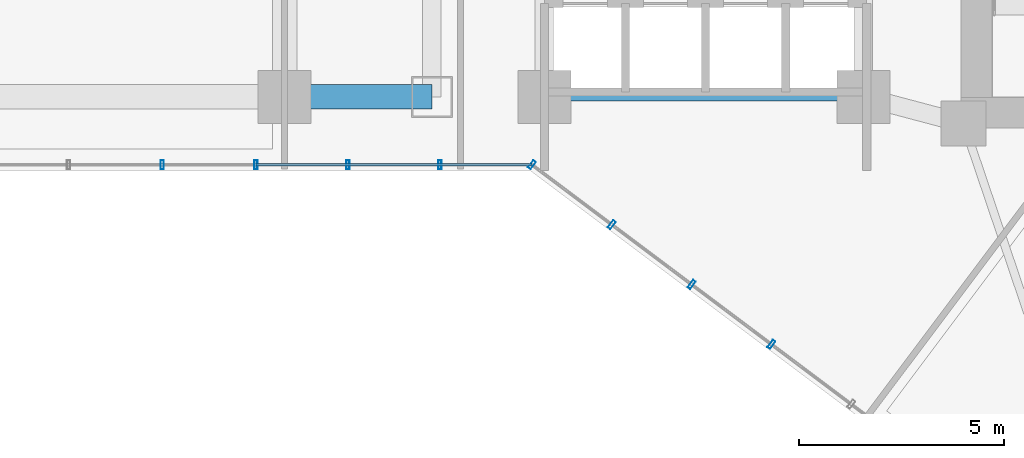
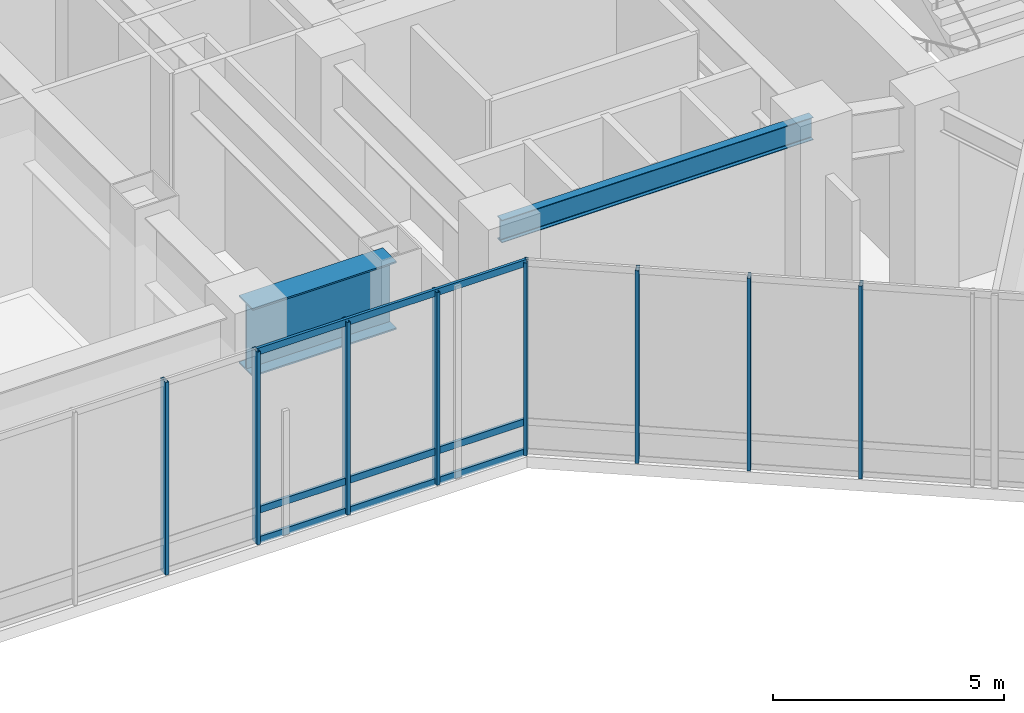
# One storey, part 4 of 38: 11 members, 2 beams, 3 elements without a shape of their own.
"""IFC4 building model written with IfcOpenShell, lengths in metres."""

from ifc_helpers import new_model, si_unit, direction, frame, origin, origin_2d, place, context, subcontext, project, spatial, hollow_rectangle, i_section, extrude, material, layer, layer_set, material_profile, profile_set, type_object, element, aggregate, save


model = new_model("IFC4")

# Units and contexts
model_context = context("Model", 3, precision=1e-05, world=origin(), true_north=direction((0.0, 1.0)))
body_context = subcontext(model_context, "Body", "Model", "MODEL_VIEW")
ifc_project = project(units=[si_unit("LENGTHUNIT", "METRE"), si_unit("AREAUNIT", "SQUARE_METRE"), si_unit("VOLUMEUNIT", "CUBIC_METRE"), si_unit("PLANEANGLEUNIT", "RADIAN"), si_unit("MASSUNIT", "GRAM", prefix="KILO")], contexts=[model_context])

# Site, building, storey
site_placement = place(None, origin())
site = spatial("IfcSite", under=ifc_project, at=site_placement, CompositionType="ELEMENT")
building_placement = place(site_placement, origin())
building = spatial("IfcBuilding", under=site, at=building_placement, Name="Hatsunagi Terrace Concourse", CompositionType="ELEMENT")
storey_placement = place(building_placement, frame((0.0, 0.0, 21.60009765625)))
storey = spatial("IfcBuildingStorey", under=building, at=storey_placement, Name="L05", CompositionType="ELEMENT", Elevation=21.60009765625)

# Curtain wall, members
ifc_material_1 = material(Name="Anodised Aluminium Alloy 6063-T5", Category="aluminium")
ifc_layer = layer(ifc_material_1, 0.199951171875)
ifc_layer_set = layer_set([ifc_layer], Name="PodiumStorefront_CW01")
curtain_wall_type = type_object("IfcCurtainWallType", Name="PodiumStorefront_CW01", PredefinedType="NOTDEFINED", material=ifc_layer_set)
curtain_wall_1_placement = place(storey_placement, origin())
curtain_wall_1 = element("IfcCurtainWall", 1, at=curtain_wall_1_placement, inside=storey, type_object=curtain_wall_type, Name="Unitised Curtain Wall CW-01 CW-L05-05", PredefinedType="NOTDEFINED")
ifc_material_2 = material(Name="Anodised Aluminium Alloy 6063-T5", Category="aluminium")
ifc_material_profile_1 = material_profile(ifc_material_2, hollow_rectangle(XDim=0.080078125, YDim=0.219970703125, WallThickness=0.0048828125, at=origin_2d()), Name="ALU-MUL-220x80x5")
ifc_profile_set_1 = profile_set([ifc_material_profile_1], Name="Anodised Aluminium Alloy 6063-T5")
member_type_1 = type_object("IfcMemberType", Name="CurtainWallMullion_Heavy_220x80", PredefinedType="MULLION", material=ifc_profile_set_1)
member_1_placement = place(storey_placement, frame((31.10107421875, 19.14892578125, 0.0), z_axis=(0.0, 0.0, 1.0), x_axis=(-0.800003116929, 0.599995844072, 0.0)))
member_1 = element("IfcMember", 2, at=member_1_placement, type_object=member_type_1, Name="Curtain Wall Mullion MUL-01", PredefinedType="MULLION", context=body_context, shape_type="SweptSolid", body=[
    extrude(hollow_rectangle(XDim=0.080078125, YDim=0.219970703125, WallThickness=0.0048828125, at=origin_2d()), origin(), (0.0, 0.0, 1.0), 5.099853515625),
])
member_2_placement = place(storey_placement, frame((29.14990234375, 20.613037109375, 0.0), z_axis=(0.0, 0.0, 1.0), x_axis=(-0.800003116929, 0.599995844072, 0.0)))
member_2 = element("IfcMember", 3, at=member_2_placement, type_object=member_type_1, Name="Curtain Wall Mullion MUL-01", PredefinedType="MULLION", context=body_context, shape_type="SweptSolid", body=[
    extrude(hollow_rectangle(XDim=0.080078125, YDim=0.219970703125, WallThickness=0.0048828125, at=origin_2d()), origin(), (0.0, 0.0, 1.0), 5.099853515625),
])
member_3_placement = place(storey_placement, frame((27.197998046875, 22.075927734375, 0.0), z_axis=(0.0, 0.0, 1.0), x_axis=(-0.800003116929, 0.599995844072, 0.0)))
member_3 = element("IfcMember", 4, at=member_3_placement, type_object=member_type_1, Name="Curtain Wall Mullion MUL-01", PredefinedType="MULLION", context=body_context, shape_type="SweptSolid", body=[
    extrude(hollow_rectangle(XDim=0.080078125, YDim=0.219970703125, WallThickness=0.0048828125, at=origin_2d()), origin(), (0.0, 0.0, 1.0), 5.099853515625),
])
member_4_placement = place(storey_placement, frame((25.2470703125, 23.5400390625, 0.0), z_axis=(0.0, 0.0, 1.0), x_axis=(-0.800003116929, 0.599995844072, 0.0)))
member_4 = element("IfcMember", 5, at=member_4_placement, type_object=member_type_1, Name="Curtain Wall Mullion MUL-01", PredefinedType="MULLION", context=body_context, shape_type="SweptSolid", body=[
    extrude(hollow_rectangle(XDim=0.080078125, YDim=0.219970703125, WallThickness=0.0048828125, at=origin_2d()), origin(), (0.0, 0.0, 1.0), 5.099853515625),
])
aggregate(curtain_wall_1, [member_1, member_2, member_3, member_4])

curtain_wall_2_placement = place(storey_placement, origin())
curtain_wall_2 = element("IfcCurtainWall", 6, at=curtain_wall_2_placement, inside=storey, type_object=curtain_wall_type, Name="Unitised Curtain Wall CW-01 CW-L05-06", PredefinedType="NOTDEFINED")
member_5_placement = place(storey_placement, frame((22.998046875, 23.5400390625, 0.0), z_axis=(0.0, 0.0, 1.0), x_axis=(-1.0, 0.0, 0.0)))
member_5 = element("IfcMember", 7, at=member_5_placement, type_object=member_type_1, Name="Curtain Wall Mullion MUL-01", PredefinedType="MULLION", context=body_context, shape_type="SweptSolid", body=[
    extrude(hollow_rectangle(XDim=0.080078125, YDim=0.219970703125, WallThickness=0.0048828125, at=origin_2d()), origin(), (0.0, 0.0, 1.0), 5.099853515625),
])
member_6_placement = place(storey_placement, frame((20.7490234375, 23.5400390625, 0.0), z_axis=(0.0, 0.0, 1.0), x_axis=(-1.0, 0.0, 0.0)))
member_6 = element("IfcMember", 8, at=member_6_placement, type_object=member_type_1, Name="Curtain Wall Mullion MUL-01", PredefinedType="MULLION", context=body_context, shape_type="SweptSolid", body=[
    extrude(hollow_rectangle(XDim=0.080078125, YDim=0.219970703125, WallThickness=0.0048828125, at=origin_2d()), origin(), (0.0, 0.0, 1.0), 5.099853515625),
])
member_7_placement = place(storey_placement, frame((18.5, 23.5400390625, 0.0), z_axis=(0.0, 0.0, 1.0), x_axis=(-1.0, 0.0, 0.0)))
member_7 = element("IfcMember", 9, at=member_7_placement, type_object=member_type_1, Name="Curtain Wall Mullion MUL-01", PredefinedType="MULLION", context=body_context, shape_type="SweptSolid", body=[
    extrude(hollow_rectangle(XDim=0.080078125, YDim=0.219970703125, WallThickness=0.0048828125, at=origin_2d()), origin(), (0.0, 0.0, 1.0), 5.099853515625),
])

# Curtain wall, member
curtain_wall_3_placement = place(storey_placement, origin())
curtain_wall_3 = element("IfcCurtainWall", 10, at=curtain_wall_3_placement, inside=storey, type_object=curtain_wall_type, Name="Unitised Curtain Wall CW-01 CW-L05-07", PredefinedType="NOTDEFINED")
member_8_placement = place(storey_placement, frame((16.2080078125, 23.5400390625, 0.0), z_axis=(0.0, 0.0, 1.0), x_axis=(-1.0, 0.0, 0.0)))
member_8 = element("IfcMember", 11, at=member_8_placement, type_object=member_type_1, Name="Curtain Wall Mullion MUL-01", PredefinedType="MULLION", context=body_context, shape_type="SweptSolid", body=[
    extrude(hollow_rectangle(XDim=0.080078125, YDim=0.219970703125, WallThickness=0.0048828125, at=origin_2d()), origin(), (0.0, 0.0, 1.0), 5.099853515625),
])
aggregate(curtain_wall_3, [member_8])

# Member
ifc_material_3 = material(Name="Anodised Aluminium Alloy 6063-T5", Category="aluminium")
ifc_material_profile_2 = material_profile(ifc_material_3, hollow_rectangle(XDim=0.070068359375, YDim=0.179931640625, WallThickness=0.00390625, at=origin_2d()), Name="ALU-TRN-180x70x4")
ifc_profile_set_2 = profile_set([ifc_material_profile_2], Name="Anodised Aluminium Alloy 6063-T5")
member_type_2 = type_object("IfcMemberType", Name="CurtainWallTransom_Heavy_180x70", PredefinedType="USERDEFINED", material=ifc_profile_set_2)
member_9_placement = place(storey_placement, frame((25.2470703125, 23.5400390625, 0.0498046875), z_axis=(-1.0, 0.0, 0.0), x_axis=(0.0, -1.0, 0.0)))
member_9 = element("IfcMember", 12, at=member_9_placement, type_object=member_type_2, Name="Curtain Wall Transom TRN-01", ObjectType="TRANSOM", PredefinedType="USERDEFINED", context=body_context, shape_type="SweptSolid", body=[
    extrude(hollow_rectangle(XDim=0.070068359375, YDim=0.179931640625, WallThickness=0.00390625, at=origin_2d()), origin(), (0.0, 0.0, 1.0), 6.7470703125),
])

member_10_placement = place(storey_placement, frame((25.2470703125, 23.5400390625, 0.849853515625), z_axis=(-1.0, 0.0, 0.0), x_axis=(0.0, -1.0, 0.0)))
member_10 = element("IfcMember", 13, at=member_10_placement, type_object=member_type_2, Name="Curtain Wall Transom TRN-01", ObjectType="TRANSOM", PredefinedType="USERDEFINED", context=body_context, shape_type="SweptSolid", body=[
    extrude(hollow_rectangle(XDim=0.070068359375, YDim=0.179931640625, WallThickness=0.00390625, at=origin_2d()), origin(), (0.0, 0.0, 1.0), 6.7470703125),
])

member_11_placement = place(storey_placement, frame((25.2470703125, 23.5400390625, 5.0498046875), z_axis=(-1.0, 0.0, 0.0), x_axis=(0.0, -1.0, 0.0)))
member_11 = element("IfcMember", 14, at=member_11_placement, type_object=member_type_2, Name="Curtain Wall Transom TRN-01", ObjectType="TRANSOM", PredefinedType="USERDEFINED", context=body_context, shape_type="SweptSolid", body=[
    extrude(hollow_rectangle(XDim=0.070068359375, YDim=0.179931640625, WallThickness=0.00390625, at=origin_2d()), origin(), (0.0, 0.0, 1.0), 6.7470703125),
])

aggregate(curtain_wall_2, [member_5, member_6, member_7, member_9, member_10, member_11])

# Beams
ifc_material_4 = material(Name="Steel SN490B", Category="steel")
ifc_material_profile_3 = material_profile(ifc_material_4, i_section(OverallWidth=0.199951171875, OverallDepth=0.60009765625, WebThickness=0.010986328125, FlangeThickness=0.01708984375, FilletRadius=0.01806640625, at=origin_2d()), Name="H-600x200x11x17")
ifc_profile_set_3 = profile_set([ifc_material_profile_3], Name="Steel SN490B")
beam_type_1 = type_object("IfcBeamType", Name="PerimeterSpandrel_H_600x200", PredefinedType="SPANDREL", material=ifc_profile_set_3)
beam_1_placement = place(storey_placement, frame((25.550048828125, 25.199951171875, 4.7998046875), z_axis=(1.0, 0.0, 0.0), x_axis=(0.0, 1.0, 0.0)))
element("IfcBeam", 15, at=beam_1_placement, inside=storey, type_object=beam_type_1, Name="Beam SP-01 BM-L05-WS-25", PredefinedType="SPANDREL", context=body_context, shape_type="SweptSolid", body=[
    extrude(i_section(OverallWidth=0.199951171875, OverallDepth=0.60009765625, WebThickness=0.010986328125, FlangeThickness=0.01708984375, FilletRadius=0.01806640625, at=origin_2d()), origin(), (0.0, 0.0, 1.0), 7.800048828125),
])
ifc_material_5 = material(Name="Steel SN490C", Category="steel")
ifc_material_profile_4 = material_profile(ifc_material_5, i_section(OverallWidth=0.60009765625, OverallDepth=1.800048828125, WebThickness=0.031982421875, FlangeThickness=0.0400390625, at=origin_2d()), Name="BH-1800x600x32x40")
ifc_profile_set_4 = profile_set([ifc_material_profile_4], Name="Steel SN490C")
beam_type_2 = type_object("IfcBeamType", Name="TransferGirder_BH_1800x600x32x40", PredefinedType="USERDEFINED", material=ifc_profile_set_4)
beam_2_placement = place(storey_placement, frame((19.199951171875, 25.199951171875, 4.199951171875), z_axis=(1.0, 0.0, 0.0), x_axis=(0.0, 1.0, 0.0)))
element("IfcBeam", 16, at=beam_2_placement, inside=storey, type_object=beam_type_2, Name="Transfer girder TG-01 BM-L05-WS-19", ObjectType="TRANSFER_GIRDER", PredefinedType="USERDEFINED", context=body_context, shape_type="SweptSolid", body=[
    extrude(i_section(OverallWidth=0.60009765625, OverallDepth=1.800048828125, WebThickness=0.031982421875, FlangeThickness=0.0400390625, at=origin_2d()), origin(), (0.0, 0.0, 1.0), 3.60009765625),
])

save(model, "model.ifc")
